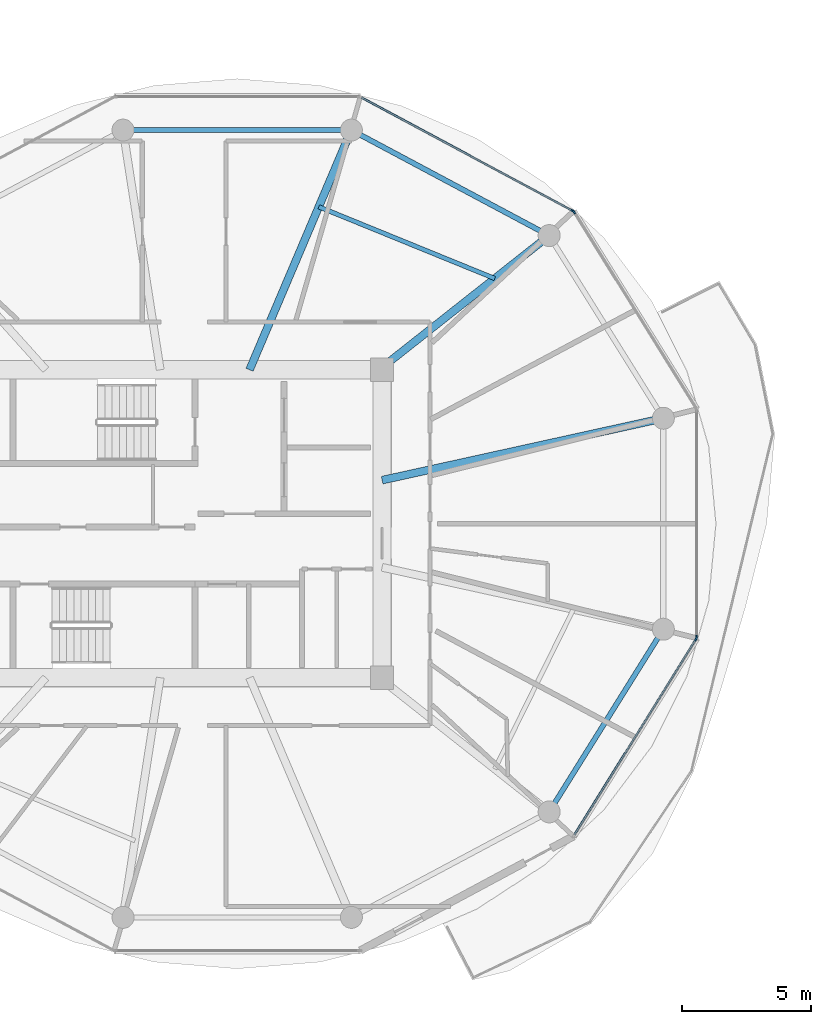
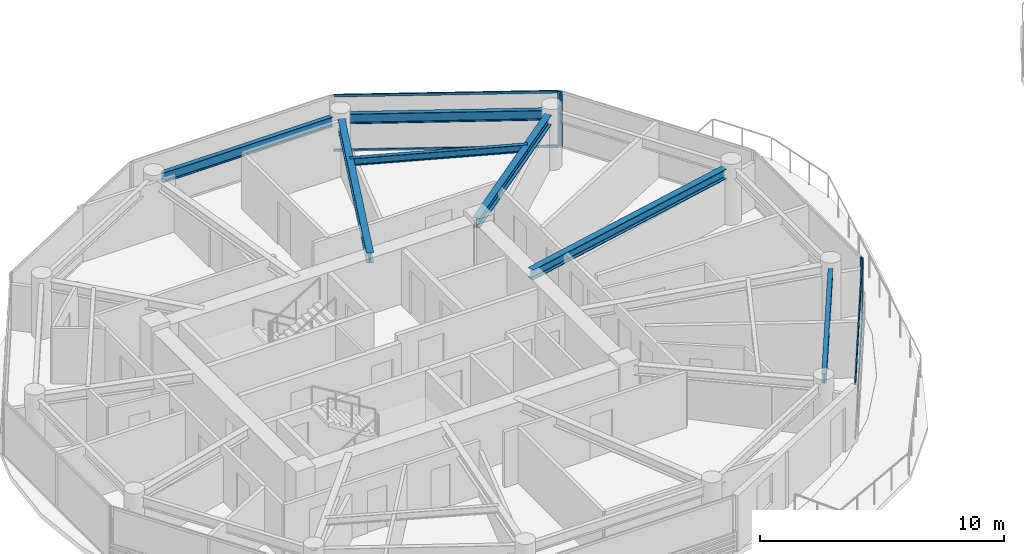
# One storey, part 5 of 22: 8 members, 7 beams, 4 elements without a shape of their own.
"""IFC4 building model written with IfcOpenShell, lengths in metres."""

from ifc_helpers import new_model, si_unit, direction, frame, origin, origin_2d, place, context, subcontext, project, spatial, rectangle, i_section, extrude, source, transform, mapped, material, layer, layer_set, material_profile, profile_set, type_object, type_shapes, element, aggregate, save


model = new_model("IFC4")

# Units and contexts
model_context = context("Model", 3, precision=1e-05, world=origin(), true_north=direction((0.0, 1.0)))
body_context = subcontext(model_context, "Body", "Model", "MODEL_VIEW")
ifc_project = project(units=[si_unit("LENGTHUNIT", "METRE"), si_unit("AREAUNIT", "SQUARE_METRE"), si_unit("VOLUMEUNIT", "CUBIC_METRE"), si_unit("PLANEANGLEUNIT", "RADIAN"), si_unit("MASSUNIT", "GRAM", prefix="KILO")], contexts=[model_context])

# Site, building, storey
site_placement = place(None, origin())
site = spatial("IfcSite", under=ifc_project, at=site_placement, CompositionType="ELEMENT")
building_placement = place(site_placement, origin())
building = spatial("IfcBuilding", under=site, at=building_placement, Name="Norrkilde Senior Care Towers", CompositionType="ELEMENT")
storey_placement = place(building_placement, frame((0.0, 0.0, 123.699951171875)))
storey = spatial("IfcBuildingStorey", under=building, at=storey_placement, Name="L38", CompositionType="ELEMENT", Elevation=123.699951171875)

# Beams
ifc_material_1 = material(Name="Steel S355", Category="steel")
ifc_material_profile_1 = material_profile(ifc_material_1, i_section(OverallWidth=0.199951171875, OverallDepth=0.5, WebThickness=0.01025390625, FlangeThickness=0.01611328125, FilletRadius=0.02099609375, at=origin_2d()), Name="IPE 500")
ifc_profile_set_1 = profile_set([ifc_material_profile_1], Name="Steel S355")
beam_type_1 = type_object("IfcBeamType", Name="Perimeter Ring Spandrel Z2 IPE500", PredefinedType="SPANDREL", material=ifc_profile_set_1)
shared_shape_1 = source(origin(), body_context, "Body", "SweptSolid", [
    extrude(i_section(OverallWidth=0.199951171875, OverallDepth=0.5, WebThickness=0.01025390625, FlangeThickness=0.01611328125, FilletRadius=0.02099609375, at=origin_2d()), origin(), (0.0, 0.0, 1.0), 7.55615234375),
])
beam_1_placement = place(storey_placement, frame((-13.689697265625, -10.810546875, 2.5400390625), z_axis=(0.529981514254, 0.848009194849, 0.0), x_axis=(-0.848009194849, 0.529981514254, 0.0)))
element("IfcBeam", 1, at=beam_1_placement, inside=storey, type_object=beam_type_1, Name="L38 Drum W Perimeter Spandrel 11", PredefinedType="SPANDREL", context=body_context, shape_type="MappedRepresentation", body=[
    mapped(shared_shape_1, transform((0.0, 0.0, 0.0), x_axis=(1.0, 0.0, 0.0), y_axis=(0.0, 1.0, 0.0), z_axis=(0.0, 0.0, 1.0), scale=1.0)),
])
ifc_material_profile_2 = material_profile(ifc_material_1, i_section(OverallWidth=0.300048828125, OverallDepth=0.5, WebThickness=0.014404296875, FlangeThickness=0.028076171875, FilletRadius=0.027099609375, at=origin_2d()), Name="HEB 500")
ifc_profile_set_2 = profile_set([ifc_material_profile_2], Name="Steel S355")
beam_type_2 = type_object("IfcBeamType", Name="Radial Floor Beam Z2 HEB500", PredefinedType="BEAM", material=ifc_profile_set_2)
shared_shape_2 = source(origin(), body_context, "Body", "SweptSolid", [
    extrude(i_section(OverallWidth=0.300048828125, OverallDepth=0.5, WebThickness=0.014404296875, FlangeThickness=0.028076171875, FilletRadius=0.027099609375, at=origin_2d()), origin(), (0.0, 0.0, 1.0), 10.744384765625),
])
beam_2_placement = place(storey_placement, frame((-20.35009765625, 1.683837890625, 2.5400390625), z_axis=(0.976618711422, 0.214978818724, 0.0), x_axis=(-0.214978818724, 0.976618711422, 0.0)))
element("IfcBeam", 2, at=beam_2_placement, inside=storey, type_object=beam_type_2, Name="L38 Drum W Radial Floor Beam 01", PredefinedType="BEAM", context=body_context, shape_type="MappedRepresentation", body=[
    mapped(shared_shape_2, transform((0.0, 0.0, 0.0), x_axis=(1.0, 0.0, 0.0), y_axis=(0.0, 1.0, 0.0), z_axis=(0.0, 0.0, 1.0), scale=1.0)),
])
shared_shape_3 = source(origin(), body_context, "Body", "SweptSolid", [
    extrude(i_section(OverallWidth=0.199951171875, OverallDepth=0.5, WebThickness=0.01025390625, FlangeThickness=0.01611328125, FilletRadius=0.02099609375, at=origin_2d()), origin(), (0.0, 0.0, 1.0), 7.892333984375),
])
beam_3_placement = place(storey_placement, frame((-14.233642578125, 11.318115234375, 2.5400390625), z_axis=(-0.882350372282, 0.47059305194, 0.0), x_axis=(-0.47059305194, -0.882350372282, 0.0)))
element("IfcBeam", 3, at=beam_3_placement, inside=storey, type_object=beam_type_1, Name="L38 Drum W Perimeter Spandrel 02", PredefinedType="SPANDREL", context=body_context, shape_type="MappedRepresentation", body=[
    mapped(shared_shape_3, transform((0.0, 0.0, 0.0), x_axis=(1.0, 0.0, 0.0), y_axis=(0.0, 1.0, 0.0), z_axis=(0.0, 0.0, 1.0), scale=1.0)),
])
shared_shape_4 = source(origin(), body_context, "Body", "SweptSolid", [
    extrude(i_section(OverallWidth=0.300048828125, OverallDepth=0.5, WebThickness=0.014404296875, FlangeThickness=0.028076171875, FilletRadius=0.027099609375, at=origin_2d()), origin(), (0.0, 0.0, 1.0), 7.985595703125),
])
beam_4_placement = place(storey_placement, frame((-20.463623046875, 5.949951171875, 2.5400390625), z_axis=(0.784858505144, 0.619675017169, 0.0), x_axis=(-0.619675017169, 0.784858505144, 0.0)))
element("IfcBeam", 4, at=beam_4_placement, inside=storey, type_object=beam_type_2, Name="L38 Drum W Radial Floor Beam 02", PredefinedType="BEAM", context=body_context, shape_type="MappedRepresentation", body=[
    mapped(shared_shape_4, transform((0.0, 0.0, 0.0), x_axis=(1.0, 0.0, 0.0), y_axis=(0.0, 1.0, 0.0), z_axis=(0.0, 0.0, 1.0), scale=1.0)),
])
shared_shape_5 = source(origin(), body_context, "Body", "SweptSolid", [
    extrude(i_section(OverallWidth=0.199951171875, OverallDepth=0.5, WebThickness=0.01025390625, FlangeThickness=0.01611328125, FilletRadius=0.02099609375, at=origin_2d()), origin(), (0.0, 0.0, 1.0), 8.0556640625),
])
type_shapes(beam_type_1, [shared_shape_1, shared_shape_3, shared_shape_5])
beam_5_placement = place(storey_placement, frame((-21.922119140625, 15.21337890625, 2.5400390625), z_axis=(-1.0, 0.0, 0.0), x_axis=(0.0, -1.0, 0.0)))
element("IfcBeam", 5, at=beam_5_placement, inside=storey, type_object=beam_type_1, Name="L38 Drum W Perimeter Spandrel 03", PredefinedType="SPANDREL", context=body_context, shape_type="MappedRepresentation", body=[
    mapped(shared_shape_5, transform((0.0, 0.0, 0.0), x_axis=(1.0, 0.0, 0.0), y_axis=(0.0, 1.0, 0.0), z_axis=(0.0, 0.0, 1.0), scale=1.0)),
])
shared_shape_6 = source(origin(), body_context, "Body", "SweptSolid", [
    extrude(i_section(OverallWidth=0.300048828125, OverallDepth=0.5, WebThickness=0.014404296875, FlangeThickness=0.028076171875, FilletRadius=0.027099609375, at=origin_2d()), origin(), (0.0, 0.0, 1.0), 9.679443359375),
])
type_shapes(beam_type_2, [shared_shape_2, shared_shape_4, shared_shape_6])
beam_6_placement = place(storey_placement, frame((-25.472412109375, 5.949951171875, 2.5400390625), z_axis=(0.390998033479, 0.920391513333, 0.0), x_axis=(-0.920391513333, 0.390998033479, 0.0)))
element("IfcBeam", 6, at=beam_6_placement, inside=storey, type_object=beam_type_2, Name="L38 Drum W Radial Floor Beam 03", PredefinedType="BEAM", context=body_context, shape_type="MappedRepresentation", body=[
    mapped(shared_shape_6, transform((0.0, 0.0, 0.0), x_axis=(1.0, 0.0, 0.0), y_axis=(0.0, 1.0, 0.0), z_axis=(0.0, 0.0, 1.0), scale=1.0)),
])
ifc_material_profile_3 = material_profile(ifc_material_1, i_section(OverallWidth=0.169921875, OverallDepth=0.360107421875, WebThickness=0.008056640625, FlangeThickness=0.0126953125, FilletRadius=0.01806640625, at=origin_2d()), Name="IPE 360")
ifc_profile_set_3 = profile_set([ifc_material_profile_3], Name="Steel S355")
beam_type_3 = type_object("IfcBeamType", Name="Secondary Floor Joist IPE360", PredefinedType="JOIST", material=ifc_profile_set_3)
shared_shape_7 = source(origin(), body_context, "Body", "SweptSolid", [
    extrude(i_section(OverallWidth=0.169921875, OverallDepth=0.360107421875, WebThickness=0.008056640625, FlangeThickness=0.0126953125, FilletRadius=0.01806640625, at=origin_2d()), origin(), (0.0, 0.0, 1.0), 7.343505859375),
])
type_shapes(beam_type_3, [shared_shape_7])
beam_7_placement = place(storey_placement, frame((-15.99609375, 9.47705078125, 2.610107421875), z_axis=(-0.926021784767, 0.377470070519, 0.0), x_axis=(-0.377470070519, -0.926021784767, 0.0)))
element("IfcBeam", 7, at=beam_7_placement, inside=storey, type_object=beam_type_3, Name="L38 Drum W Secondary Floor Joist 1", PredefinedType="JOIST", context=body_context, shape_type="MappedRepresentation", body=[
    mapped(shared_shape_7, transform((0.0, 0.0, 0.0), x_axis=(1.0, 0.0, 0.0), y_axis=(0.0, 1.0, 0.0), z_axis=(0.0, 0.0, 1.0), scale=1.0)),
])

# Curtain wall, member
ifc_material_2 = material(Name="Triple Low-E Insulated Glazing", Category="glass")
ifc_layer = layer(ifc_material_2, 0.195068359375)
ifc_layer_set = layer_set([ifc_layer], Name="Triple Low-E Insulated Glazing")
curtain_wall_type = type_object("IfcCurtainWallType", Name="CW3 Zone 2 Assisted Living Curtain Wall", PredefinedType="NOTDEFINED", material=ifc_layer_set)
curtain_wall_1_placement = place(storey_placement, origin())
curtain_wall_1 = element("IfcCurtainWall", 8, at=curtain_wall_1_placement, inside=storey, type_object=curtain_wall_type, Name="L38 Drum W Curtain Wall 00", PredefinedType="NOTDEFINED")
ifc_material_3 = material(Name="Anodised Aluminium", Category="aluminium")
ifc_material_profile_4 = material_profile(ifc_material_3, rectangle(XDim=0.06494140625, YDim=0.159912109375, at=origin_2d()), Name="ALU MULL 65x160")
ifc_profile_set_4 = profile_set([ifc_material_profile_4], Name="Anodised Aluminium")
member_type_1 = type_object("IfcMemberType", Name="Curtain Wall Mullion Z1-Z2 65x160", PredefinedType="MULLION", material=ifc_profile_set_4)
shared_shape_8 = source(origin(), body_context, "Body", "SweptSolid", [
    extrude(rectangle(XDim=0.06494140625, YDim=0.159912109375, at=origin_2d()), origin(), (0.0, 0.0, 1.0), 2.7900390625),
])
type_shapes(member_type_1, [shared_shape_8])
member_1_placement = place(storey_placement, frame((-12.936279296875, 12.0498046875, 0.0), z_axis=(0.0, 0.0, 1.0), x_axis=(0.849410171862, 0.527733228002, 0.0)))
member_1 = element("IfcMember", 9, at=member_1_placement, type_object=member_type_1, Name="CW-3 mullion 1", PredefinedType="MULLION", context=body_context, shape_type="MappedRepresentation", body=[
    mapped(shared_shape_8, transform((0.0, 0.0, 0.0), x_axis=(1.0, 0.0, 0.0), y_axis=(0.0, 1.0, 0.0), z_axis=(0.0, 0.0, 1.0), scale=1.0)),
])
aggregate(curtain_wall_1, [member_1])

curtain_wall_2_placement = place(storey_placement, origin())
curtain_wall_2 = element("IfcCurtainWall", 10, at=curtain_wall_2_placement, inside=storey, type_object=curtain_wall_type, Name="L38 Drum W Curtain Wall 01", PredefinedType="NOTDEFINED")
member_2_placement = place(storey_placement, frame((-12.98193359375, 12.0927734375, 0.0), z_axis=(0.0, 0.0, 1.0), x_axis=(0.472769402511, 0.881186184668, 0.0)))
member_2 = element("IfcMember", 11, at=member_2_placement, type_object=member_type_1, Name="CW-3 mullion 2", PredefinedType="MULLION", context=body_context, shape_type="MappedRepresentation", body=[
    mapped(shared_shape_8, transform((0.0, 0.0, 0.0), x_axis=(1.0, 0.0, 0.0), y_axis=(0.0, 1.0, 0.0), z_axis=(0.0, 0.0, 1.0), scale=1.0)),
])

curtain_wall_3_placement = place(storey_placement, origin())
curtain_wall_3 = element("IfcCurtainWall", 12, at=curtain_wall_3_placement, inside=storey, type_object=curtain_wall_type, Name="L38 Drum W Curtain Wall 10", PredefinedType="NOTDEFINED")
member_3_placement = place(storey_placement, frame((-8.21337890625, -4.4482421875, 0.0), z_axis=(0.0, 0.0, 1.0), x_axis=(0.849410171862, -0.527733228002, 0.0)))
member_3 = element("IfcMember", 13, at=member_3_placement, type_object=member_type_1, Name="CW-3 mullion 1", PredefinedType="MULLION", context=body_context, shape_type="MappedRepresentation", body=[
    mapped(shared_shape_8, transform((0.0, 0.0, 0.0), x_axis=(1.0, 0.0, 0.0), y_axis=(0.0, 1.0, 0.0), z_axis=(0.0, 0.0, 1.0), scale=1.0)),
])

curtain_wall_4_placement = place(storey_placement, origin())
curtain_wall_4 = element("IfcCurtainWall", 14, at=curtain_wall_4_placement, inside=storey, type_object=curtain_wall_type, Name="L38 Drum W Curtain Wall 11", PredefinedType="NOTDEFINED")
member_4_placement = place(storey_placement, frame((-8.1962890625, -4.38818359375, 0.0), z_axis=(0.0, 0.0, 1.0), x_axis=(1.0, 0.0, 0.0)))
member_4 = element("IfcMember", 15, at=member_4_placement, type_object=member_type_1, Name="CW-3 mullion 2", PredefinedType="MULLION", context=body_context, shape_type="MappedRepresentation", body=[
    mapped(shared_shape_8, transform((0.0, 0.0, 0.0), x_axis=(1.0, 0.0, 0.0), y_axis=(0.0, 1.0, 0.0), z_axis=(0.0, 0.0, 1.0), scale=1.0)),
])
aggregate(curtain_wall_4, [member_4])

# Member
ifc_material_profile_5 = material_profile(ifc_material_3, rectangle(XDim=0.06005859375, YDim=0.1201171875, at=origin_2d()), Name="ALU TRAN 60x120")
ifc_profile_set_5 = profile_set([ifc_material_profile_5], Name="Anodised Aluminium")
member_type_2 = type_object("IfcMemberType", Name="Curtain Wall Transom Typical 60x120", PredefinedType="USERDEFINED", material=ifc_profile_set_5)
shared_shape_9 = source(origin(), body_context, "Body", "SweptSolid", [
    extrude(rectangle(XDim=0.06005859375, YDim=0.1201171875, at=origin_2d()), origin(), (0.0, 0.0, 1.0), 8.88427734375),
])
member_5_placement = place(storey_placement, frame((-8.23046875, -4.475830078125, 0.030029296875), z_axis=(-0.527749293309, -0.849400190377, 0.0), x_axis=(0.849400190377, -0.527749293309, 0.0)))
member_5 = element("IfcMember", 16, at=member_5_placement, type_object=member_type_2, Name="CW-3 transom 1.1", ObjectType="TRANSOM", PredefinedType="USERDEFINED", context=body_context, shape_type="MappedRepresentation", body=[
    mapped(shared_shape_9, transform((0.0, 0.0, 0.0), x_axis=(1.0, 0.0, 0.0), y_axis=(0.0, 1.0, 0.0), z_axis=(0.0, 0.0, 1.0), scale=1.0)),
])

member_6_placement = place(storey_placement, frame((-8.23046875, -4.475830078125, 2.760009765625), z_axis=(-0.527749293309, -0.849400190377, 0.0), x_axis=(0.849400190377, -0.527749293309, 0.0)))
member_6 = element("IfcMember", 17, at=member_6_placement, type_object=member_type_2, Name="CW-3 transom 1.2", ObjectType="TRANSOM", PredefinedType="USERDEFINED", context=body_context, shape_type="MappedRepresentation", body=[
    mapped(shared_shape_9, transform((0.0, 0.0, 0.0), x_axis=(1.0, 0.0, 0.0), y_axis=(0.0, 1.0, 0.0), z_axis=(0.0, 0.0, 1.0), scale=1.0)),
])

aggregate(curtain_wall_3, [member_3, member_5, member_6])

shared_shape_10 = source(origin(), body_context, "Body", "SweptSolid", [
    extrude(rectangle(XDim=0.06005859375, YDim=0.1201171875, at=origin_2d()), origin(), (0.0, 0.0, 1.0), 9.220458984375),
])
type_shapes(member_type_2, [shared_shape_9, shared_shape_10])
member_7_placement = place(storey_placement, frame((-21.1357421875, 16.46728515625, 0.030029296875), z_axis=(0.881188517866, -0.472765053681, 0.0), x_axis=(0.472765053681, 0.881188517866, 0.0)))
member_7 = element("IfcMember", 18, at=member_7_placement, type_object=member_type_2, Name="CW-3 transom 1.1", ObjectType="TRANSOM", PredefinedType="USERDEFINED", context=body_context, shape_type="MappedRepresentation", body=[
    mapped(shared_shape_10, transform((0.0, 0.0, 0.0), x_axis=(1.0, 0.0, 0.0), y_axis=(0.0, 1.0, 0.0), z_axis=(0.0, 0.0, 1.0), scale=1.0)),
])

member_8_placement = place(storey_placement, frame((-21.1357421875, 16.46728515625, 2.760009765625), z_axis=(0.881188517866, -0.472765053681, 0.0), x_axis=(0.472765053681, 0.881188517866, 0.0)))
member_8 = element("IfcMember", 19, at=member_8_placement, type_object=member_type_2, Name="CW-3 transom 1.2", ObjectType="TRANSOM", PredefinedType="USERDEFINED", context=body_context, shape_type="MappedRepresentation", body=[
    mapped(shared_shape_10, transform((0.0, 0.0, 0.0), x_axis=(1.0, 0.0, 0.0), y_axis=(0.0, 1.0, 0.0), z_axis=(0.0, 0.0, 1.0), scale=1.0)),
])

aggregate(curtain_wall_2, [member_2, member_7, member_8])

save(model, "model.ifc")
